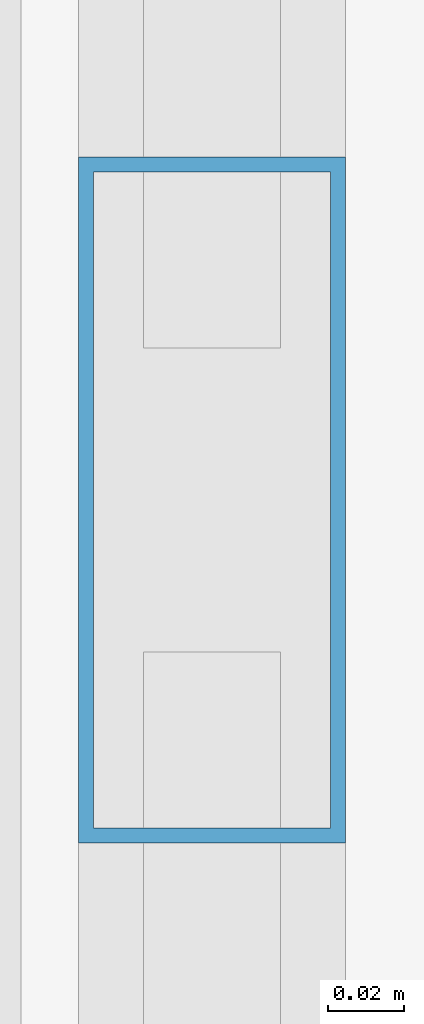
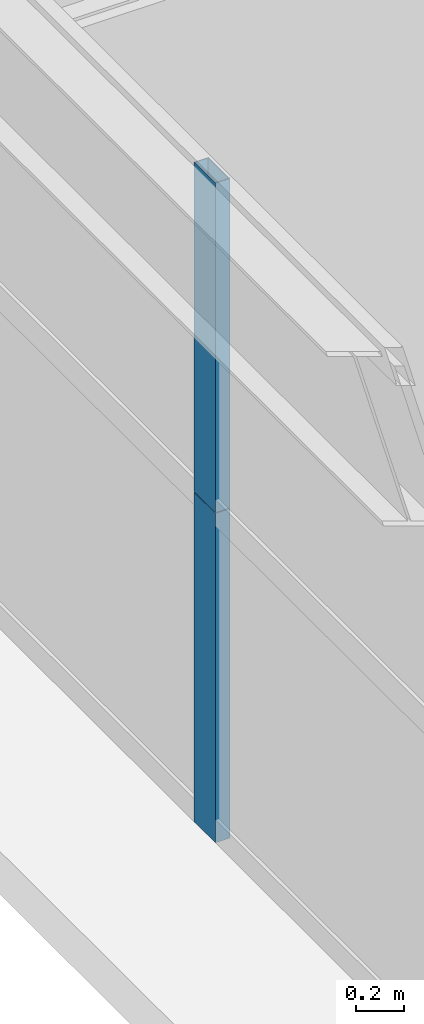
# One storey, part 7 of 38: 2 members, 1 element without a shape of its own.
"""IFC4 building model written with IfcOpenShell, lengths in metres."""

from ifc_helpers import new_model, si_unit, direction, frame, origin, origin_2d, place, context, subcontext, project, spatial, hollow_rectangle, extrude, source, transform, mapped, material, layer, layer_set, material_profile, profile_set, type_object, element, aggregate, save


model = new_model("IFC4")

# Units and contexts
model_context = context("Model", 3, precision=1e-05, world=origin(), true_north=direction((0.0, 1.0)))
body_context = subcontext(model_context, "Body", "Model", "MODEL_VIEW")
ifc_project = project(units=[si_unit("LENGTHUNIT", "METRE"), si_unit("AREAUNIT", "SQUARE_METRE"), si_unit("VOLUMEUNIT", "CUBIC_METRE"), si_unit("PLANEANGLEUNIT", "RADIAN"), si_unit("MASSUNIT", "GRAM", prefix="KILO"), si_unit("THERMODYNAMICTEMPERATUREUNIT", "KELVIN"), si_unit("POWERUNIT", "WATT")], contexts=[model_context])

# Site, building, storey
site_placement = place(None, origin())
site = spatial("IfcSite", under=ifc_project, at=site_placement, CompositionType="ELEMENT")
building_placement = place(site_placement, origin())
building = spatial("IfcBuilding", under=site, at=building_placement, Name="Yuzanri Waterfront Tower", CompositionType="ELEMENT")
storey_placement = place(building_placement, frame((0.0, 0.0, 119.0)))
storey = spatial("IfcBuildingStorey", under=building, at=storey_placement, Name="L31", CompositionType="ELEMENT", Elevation=119.0)

# Curtain wall, members
ifc_material_1 = material(Name="Anodized Architectural Bronze", Category="metal")
ifc_layer = layer(ifc_material_1, 0.159912109375)
ifc_layer_set = layer_set([ifc_layer], Name="Anodized Architectural Bronze")
curtain_wall_type = type_object("IfcCurtainWallType", Name="Anodized Bronze Hotel Upper-Tier Solar-Control Unitized Curtain Wall 7800", PredefinedType="NOTDEFINED", material=ifc_layer_set)
curtain_wall_placement = place(storey_placement, origin())
curtain_wall = element("IfcCurtainWall", 1, at=curtain_wall_placement, inside=storey, type_object=curtain_wall_type, Name="L31 Curtain Wall CW-L31-WL", PredefinedType="NOTDEFINED")
ifc_material_2 = material(Name="Anodized Architectural Bronze", Category="metal")
ifc_material_profile = material_profile(ifc_material_2, hollow_rectangle(XDim=0.070068359375, YDim=0.179931640625, WallThickness=0.00390625, at=origin_2d()), Name="CWM 70x180")
ifc_profile_set = profile_set([ifc_material_profile], Name="Anodized Architectural Bronze")
member_type = type_object("IfcMemberType", Name="Anodized Bronze Standard Curtain-Wall Mullion 70x180", PredefinedType="MULLION", material=ifc_profile_set)
shared_shape = source(origin(), body_context, "Body", "SweptSolid", [
    extrude(hollow_rectangle(XDim=0.070068359375, YDim=0.179931640625, WallThickness=0.00390625, at=origin_2d()), origin(), (0.0, 0.0, 1.0), 1.68798828125),
])
member_1_placement = place(storey_placement, frame((13.550048828125, 17.449951171875, 0.0), z_axis=(0.0, 0.0, 1.0), x_axis=(1.0, 0.0, 0.0)))
member_1 = element("IfcMember", 2, at=member_1_placement, type_object=member_type, Name="CW-L31-WL Lower Mullion 01", PredefinedType="MULLION", context=body_context, shape_type="MappedRepresentation", body=[
    mapped(shared_shape, transform((0.0, 0.0, 0.0), scale=1.0)),
])
member_2_placement = place(storey_placement, frame((13.550048828125, 17.449951171875, 1.69189453125), z_axis=(0.0, 0.0, 1.0), x_axis=(1.0, 0.0, 0.0)))
member_2 = element("IfcMember", 3, at=member_2_placement, type_object=member_type, Name="CW-L31-WL Upper Mullion 01", PredefinedType="MULLION", context=body_context, shape_type="MappedRepresentation", body=[
    mapped(shared_shape, transform((0.0, 0.0, 0.0), scale=1.0)),
])
aggregate(curtain_wall, [member_1, member_2])

save(model, "model.ifc")
